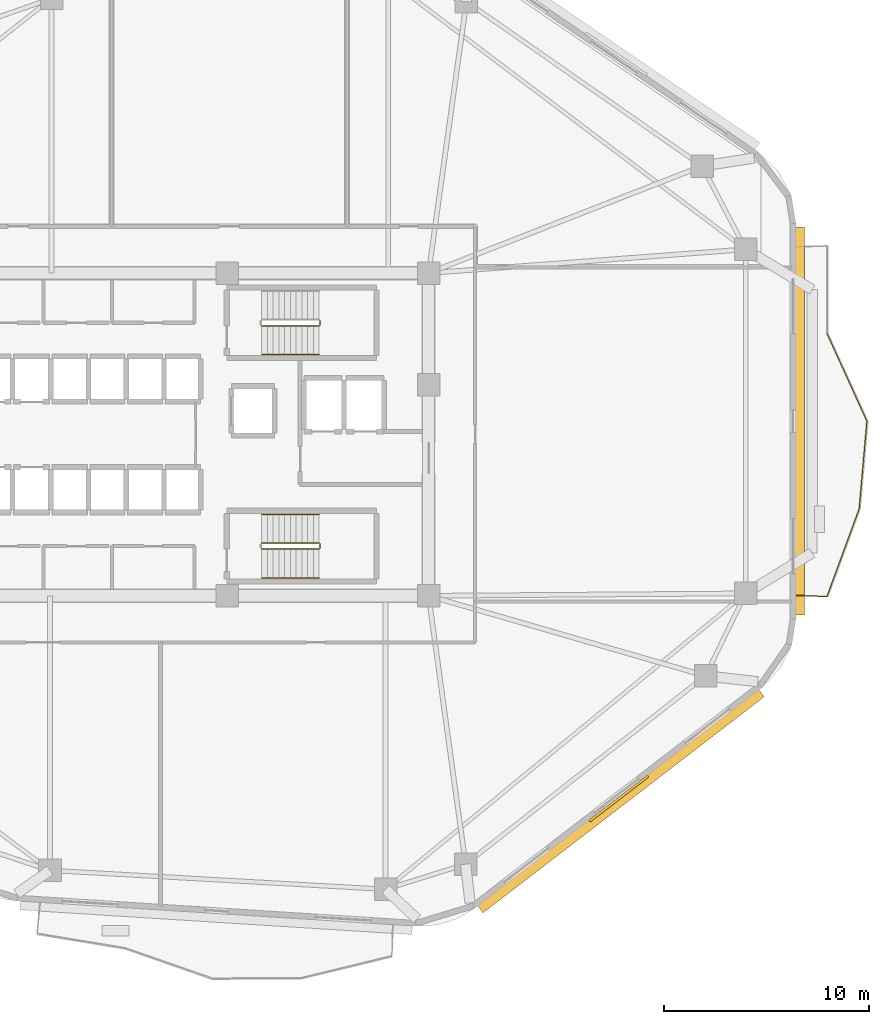
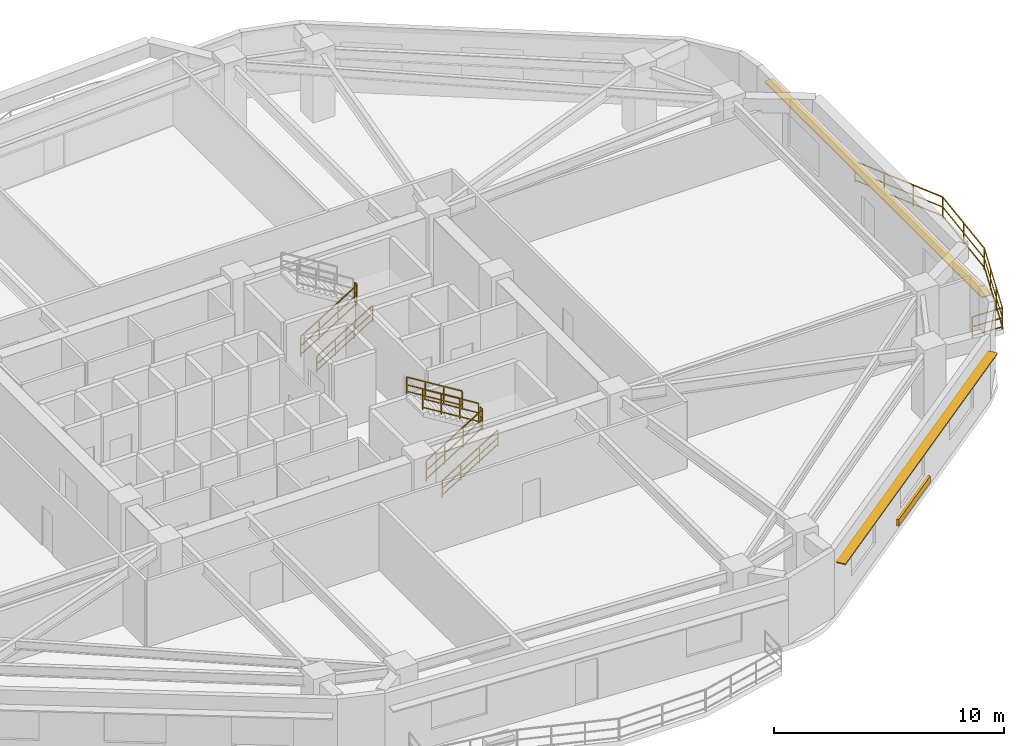
# One storey, part 8 of 9: 12 railings, 3 shading devices.
"""IFC4 building model written with IfcOpenShell, lengths in metres."""

from ifc_helpers import new_model, si_unit, direction, frame, origin, origin_2d, place, context, subcontext, project, spatial, rectangle, extrude, material, layer, layer_set, type_object, element, save


model = new_model("IFC4")

# Units and contexts
model_context = context("Model", 3, precision=1e-05, world=origin(), true_north=direction((0.0, 1.0)))
body_context = subcontext(model_context, "Body", "Model", "MODEL_VIEW")
ifc_project = project(units=[si_unit("LENGTHUNIT", "METRE"), si_unit("AREAUNIT", "SQUARE_METRE"), si_unit("VOLUMEUNIT", "CUBIC_METRE"), si_unit("PLANEANGLEUNIT", "RADIAN"), si_unit("MASSUNIT", "GRAM", prefix="KILO")], contexts=[model_context])

# Site, building, storey
site_placement = place(None, origin())
site = spatial("IfcSite", under=ifc_project, at=site_placement, CompositionType="ELEMENT")
building_placement = place(site_placement, origin())
building = spatial("IfcBuilding", under=site, at=building_placement, Name="Zulverin Broadcast Headquarters", CompositionType="ELEMENT")
storey_placement = place(building_placement, frame((0.0, 0.0, 112.39990234375)))
storey = spatial("IfcBuildingStorey", under=building, at=storey_placement, Name="L28", CompositionType="ELEMENT", Elevation=112.39990234375)

# Railings
ifc_material_1 = material(Name="Brushed stainless steel & laminated glass balustrade", Category="steel")
railing_type_1 = type_object("IfcRailingType", Name="RL-GUARD-1150", PredefinedType="GUARDRAIL", material=ifc_material_1)
railing_1_placement = place(storey_placement, frame((66.239990234375, 17.343505859375, 0.0)))
element("IfcRailing", 1, at=railing_1_placement, inside=storey, type_object=railing_type_1, Name="L28 Vertical-Forest Balcony Guardrail BAL_E Segment 01", PredefinedType="GUARDRAIL", context=body_context, shape_type="SweptSolid", body=[
    extrude(rectangle(XDim=0.048095703125, YDim=0.048095703125, at=origin_2d()), frame((0.0, 0.0, 1.1259765625), z_axis=(0.999174410196, -0.040626321628, 0.0), x_axis=(0.040626321628, 0.999174410196, 0.0)), (0.0, 0.0, 1.0), 1.46630859375),
    extrude(rectangle(XDim=0.0419921875, YDim=0.0419921875, at=origin_2d()), frame((0.0, 0.0, 0.597900390625), z_axis=(0.999174410196, -0.040626321628, 0.0), x_axis=(0.040626321628, 0.999174410196, 0.0)), (0.0, 0.0, 1.0), 1.46630859375),
    extrude(rectangle(XDim=0.0419921875, YDim=0.0419921875, at=origin_2d()), frame((0.0, 0.0, 0.1201171875), z_axis=(0.999174410196, -0.040626321628, 0.0), x_axis=(0.040626321628, 0.999174410196, 0.0)), (0.0, 0.0, 1.0), 1.46630859375),
    extrude(rectangle(XDim=0.0419921875, YDim=0.0419921875, at=origin_2d()), origin(), (0.0, 0.0, 1.0), 1.101806640625),
    extrude(rectangle(XDim=0.0419921875, YDim=0.0419921875, at=origin_2d()), frame((1.465087890625, -0.0595703125, 0.0)), (0.0, 0.0, 1.0), 1.101806640625),
])
railing_2_placement = place(storey_placement, frame((67.72509765625, 17.297607421875, 0.0)))
element("IfcRailing", 2, at=railing_2_placement, inside=storey, type_object=railing_type_1, Name="L28 Vertical-Forest Balcony Guardrail BAL_E Segment 02", PredefinedType="GUARDRAIL", context=body_context, shape_type="SweptSolid", body=[
    extrude(rectangle(XDim=0.048095703125, YDim=0.048095703125, at=origin_2d()), frame((0.0, 0.0, 1.1259765625), z_axis=(0.344609188116, 0.938746242318, 0.0), x_axis=(-0.938746242318, 0.344609188116, 0.0)), (0.0, 0.0, 1.0), 4.531982421875),
    extrude(rectangle(XDim=0.0419921875, YDim=0.0419921875, at=origin_2d()), frame((0.0, 0.0, 0.597900390625), z_axis=(0.344609188116, 0.938746242318, 0.0), x_axis=(-0.938746242318, 0.344609188116, 0.0)), (0.0, 0.0, 1.0), 4.531982421875),
    extrude(rectangle(XDim=0.0419921875, YDim=0.0419921875, at=origin_2d()), frame((0.0, 0.0, 0.1201171875), z_axis=(0.344609188116, 0.938746242318, 0.0), x_axis=(-0.938746242318, 0.344609188116, 0.0)), (0.0, 0.0, 1.0), 4.531982421875),
    extrude(rectangle(XDim=0.0419921875, YDim=0.0419921875, at=origin_2d()), origin(), (0.0, 0.0, 1.0), 1.101806640625),
    extrude(rectangle(XDim=0.0419921875, YDim=0.0419921875, at=origin_2d()), frame((0.5205078125, 1.418212890625, 0.0)), (0.0, 0.0, 1.0), 1.101806640625),
    extrude(rectangle(XDim=0.0419921875, YDim=0.0419921875, at=origin_2d()), frame((1.041259765625, 2.836181640625, 0.0)), (0.0, 0.0, 1.0), 1.101806640625),
    extrude(rectangle(XDim=0.0419921875, YDim=0.0419921875, at=origin_2d()), frame((1.561767578125, 4.25439453125, 0.0)), (0.0, 0.0, 1.0), 1.101806640625),
])
railing_3_placement = place(storey_placement, frame((69.293212890625, 21.5810546875, 0.0)))
element("IfcRailing", 3, at=railing_3_placement, inside=storey, type_object=railing_type_1, Name="L28 Vertical-Forest Balcony Guardrail BAL_E Segment 03", PredefinedType="GUARDRAIL", context=body_context, shape_type="SweptSolid", body=[
    extrude(rectangle(XDim=0.048095703125, YDim=0.048095703125, at=origin_2d()), frame((0.0, 0.0, 1.1259765625), z_axis=(0.087947213547, 0.996125136531, 0.0), x_axis=(-0.996125136531, 0.087947213547, 0.0)), (0.0, 0.0, 1.0), 4.26953125),
    extrude(rectangle(XDim=0.0419921875, YDim=0.0419921875, at=origin_2d()), frame((0.0, 0.0, 0.597900390625), z_axis=(0.087947213547, 0.996125136531, 0.0), x_axis=(-0.996125136531, 0.087947213547, 0.0)), (0.0, 0.0, 1.0), 4.26953125),
    extrude(rectangle(XDim=0.0419921875, YDim=0.0419921875, at=origin_2d()), frame((0.0, 0.0, 0.1201171875), z_axis=(0.087947213547, 0.996125136531, 0.0), x_axis=(-0.996125136531, 0.087947213547, 0.0)), (0.0, 0.0, 1.0), 4.26953125),
    extrude(rectangle(XDim=0.0419921875, YDim=0.0419921875, at=origin_2d()), origin(), (0.0, 0.0, 1.0), 1.101806640625),
    extrude(rectangle(XDim=0.0419921875, YDim=0.0419921875, at=origin_2d()), frame((0.187744140625, 2.12646484375, 0.0)), (0.0, 0.0, 1.0), 1.101806640625),
    extrude(rectangle(XDim=0.0419921875, YDim=0.0419921875, at=origin_2d()), frame((0.37548828125, 4.2529296875, 0.0)), (0.0, 0.0, 1.0), 1.101806640625),
])
railing_4_placement = place(storey_placement, frame((69.663818359375, 25.862548828125, 0.0)))
element("IfcRailing", 4, at=railing_4_placement, inside=storey, type_object=railing_type_1, Name="L28 Vertical-Forest Balcony Guardrail BAL_E Segment 04", PredefinedType="GUARDRAIL", context=body_context, shape_type="SweptSolid", body=[
    extrude(rectangle(XDim=0.048095703125, YDim=0.048095703125, at=origin_2d()), frame((0.0, 0.0, 1.1259765625), z_axis=(-0.414377225537, 0.910105221915, 0.0), x_axis=(-0.910105221915, -0.414377225537, 0.0)), (0.0, 0.0, 1.0), 4.67578125),
    extrude(rectangle(XDim=0.0419921875, YDim=0.0419921875, at=origin_2d()), frame((0.0, 0.0, 0.597900390625), z_axis=(-0.414377225537, 0.910105221915, 0.0), x_axis=(-0.910105221915, -0.414377225537, 0.0)), (0.0, 0.0, 1.0), 4.67578125),
    extrude(rectangle(XDim=0.0419921875, YDim=0.0419921875, at=origin_2d()), frame((0.0, 0.0, 0.1201171875), z_axis=(-0.414377225537, 0.910105221915, 0.0), x_axis=(-0.910105221915, -0.414377225537, 0.0)), (0.0, 0.0, 1.0), 4.67578125),
    extrude(rectangle(XDim=0.0419921875, YDim=0.0419921875, at=origin_2d()), origin(), (0.0, 0.0, 1.0), 1.101806640625),
    extrude(rectangle(XDim=0.0419921875, YDim=0.0419921875, at=origin_2d()), frame((-0.645751953125, 1.41845703125, 0.0)), (0.0, 0.0, 1.0), 1.101806640625),
    extrude(rectangle(XDim=0.0419921875, YDim=0.0419921875, at=origin_2d()), frame((-1.291748046875, 2.8369140625, 0.0)), (0.0, 0.0, 1.0), 1.101806640625),
    extrude(rectangle(XDim=0.0419921875, YDim=0.0419921875, at=origin_2d()), frame((-1.9375, 4.25537109375, 0.0)), (0.0, 0.0, 1.0), 1.101806640625),
])
ifc_material_2 = material(Name="Painted galvanized steel tubular guardrail S355JR", Category="steel")
railing_type_2 = type_object("IfcRailingType", Name="RL-ST-GUARD", PredefinedType="GUARDRAIL", material=ifc_material_2)
railing_5_placement = place(storey_placement, frame((40.1298828125, 30.5, 0.1728515625)))
element("IfcRailing", 5, at=railing_5_placement, inside=storey, type_object=railing_type_2, Name="L28 ST-1 stair guard 1", PredefinedType="GUARDRAIL", context=body_context, shape_type="SweptSolid", body=[
    extrude(rectangle(XDim=0.048095703125, YDim=0.048095703125, at=origin_2d()), frame((0.0, 0.0, 1.076171875), z_axis=(0.851089632645, 0.0, 0.525020415988), x_axis=(0.0, 1.0, 0.0)), (0.0, 0.0, 1.0), 3.2900390625),
    extrude(rectangle(XDim=0.0419921875, YDim=0.0419921875, at=origin_2d()), frame((0.0, 0.0, 0.572021484375), z_axis=(0.851089632645, 0.0, 0.525020415988), x_axis=(0.0, 1.0, 0.0)), (0.0, 0.0, 1.0), 3.2900390625),
    extrude(rectangle(XDim=0.0419921875, YDim=0.0419921875, at=origin_2d()), frame((0.0, 0.0, 0.1201171875), z_axis=(0.851089632645, 0.0, 0.525020415988), x_axis=(0.0, 1.0, 0.0)), (0.0, 0.0, 1.0), 3.2900390625),
    extrude(rectangle(XDim=0.0419921875, YDim=0.0419921875, at=origin_2d()), origin(), (0.0, 0.0, 1.0), 1.052001953125),
    extrude(rectangle(XDim=0.0419921875, YDim=0.0419921875, at=origin_2d()), frame((0.933349609375, 0.0, 0.57568359375)), (0.0, 0.0, 1.0), 1.052001953125),
    extrude(rectangle(XDim=0.0419921875, YDim=0.0419921875, at=origin_2d()), frame((1.86669921875, 0.0, 1.151611328125)), (0.0, 0.0, 1.0), 1.052001953125),
    extrude(rectangle(XDim=0.0419921875, YDim=0.0419921875, at=origin_2d()), frame((2.800048828125, 0.0, 1.727294921875)), (0.0, 0.0, 1.0), 1.052001953125),
])
railing_6_placement = place(storey_placement, frame((42.97998046875, 30.550048828125, 1.900146484375)))
element("IfcRailing", 6, at=railing_6_placement, inside=storey, type_object=railing_type_2, Name="L28 ST-1 stair guard 2", PredefinedType="GUARDRAIL", context=body_context, shape_type="SweptSolid", body=[
    extrude(rectangle(XDim=0.048095703125, YDim=0.048095703125, at=origin_2d()), frame((0.0, 0.0, 1.076171875), z_axis=(0.0, 1.0, 0.0), x_axis=(-1.0, 0.0, 0.0)), (0.0, 0.0, 1.0), 0.199951171875),
    extrude(rectangle(XDim=0.0419921875, YDim=0.0419921875, at=origin_2d()), frame((0.0, 0.0, 0.572021484375), z_axis=(0.0, 1.0, 0.0), x_axis=(-1.0, 0.0, 0.0)), (0.0, 0.0, 1.0), 0.199951171875),
    extrude(rectangle(XDim=0.0419921875, YDim=0.0419921875, at=origin_2d()), frame((0.0, 0.0, 0.1201171875), z_axis=(0.0, 1.0, 0.0), x_axis=(-1.0, 0.0, 0.0)), (0.0, 0.0, 1.0), 0.199951171875),
    extrude(rectangle(XDim=0.0419921875, YDim=0.0419921875, at=origin_2d()), origin(), (0.0, 0.0, 1.0), 1.052001953125),
    extrude(rectangle(XDim=0.0419921875, YDim=0.0419921875, at=origin_2d()), frame((0.0, 0.199951171875, 0.0)), (0.0, 0.0, 1.0), 1.052001953125),
])
railing_7_placement = place(storey_placement, frame((40.1298828125, 19.60009765625, 0.1728515625)))
element("IfcRailing", 7, at=railing_7_placement, inside=storey, type_object=railing_type_2, Name="L28 ST-2 stair guard 1", PredefinedType="GUARDRAIL", context=body_context, shape_type="SweptSolid", body=[
    extrude(rectangle(XDim=0.048095703125, YDim=0.048095703125, at=origin_2d()), frame((0.0, 0.0, 1.076171875), z_axis=(0.851089632645, 0.0, 0.525020415988), x_axis=(0.0, 1.0, 0.0)), (0.0, 0.0, 1.0), 3.2900390625),
    extrude(rectangle(XDim=0.0419921875, YDim=0.0419921875, at=origin_2d()), frame((0.0, 0.0, 0.572021484375), z_axis=(0.851089632645, 0.0, 0.525020415988), x_axis=(0.0, 1.0, 0.0)), (0.0, 0.0, 1.0), 3.2900390625),
    extrude(rectangle(XDim=0.0419921875, YDim=0.0419921875, at=origin_2d()), frame((0.0, 0.0, 0.1201171875), z_axis=(0.851089632645, 0.0, 0.525020415988), x_axis=(0.0, 1.0, 0.0)), (0.0, 0.0, 1.0), 3.2900390625),
    extrude(rectangle(XDim=0.0419921875, YDim=0.0419921875, at=origin_2d()), origin(), (0.0, 0.0, 1.0), 1.052001953125),
    extrude(rectangle(XDim=0.0419921875, YDim=0.0419921875, at=origin_2d()), frame((0.933349609375, 0.0, 0.57568359375)), (0.0, 0.0, 1.0), 1.052001953125),
    extrude(rectangle(XDim=0.0419921875, YDim=0.0419921875, at=origin_2d()), frame((1.86669921875, 0.0, 1.151611328125)), (0.0, 0.0, 1.0), 1.052001953125),
    extrude(rectangle(XDim=0.0419921875, YDim=0.0419921875, at=origin_2d()), frame((2.800048828125, 0.0, 1.727294921875)), (0.0, 0.0, 1.0), 1.052001953125),
])
railing_8_placement = place(storey_placement, frame((42.97998046875, 19.64990234375, 1.900146484375)))
element("IfcRailing", 8, at=railing_8_placement, inside=storey, type_object=railing_type_2, Name="L28 ST-2 stair guard 2", PredefinedType="GUARDRAIL", context=body_context, shape_type="SweptSolid", body=[
    extrude(rectangle(XDim=0.048095703125, YDim=0.048095703125, at=origin_2d()), frame((0.0, 0.0, 1.076171875), z_axis=(0.0, 1.0, 0.0), x_axis=(-1.0, 0.0, 0.0)), (0.0, 0.0, 1.0), 0.2001953125),
    extrude(rectangle(XDim=0.0419921875, YDim=0.0419921875, at=origin_2d()), frame((0.0, 0.0, 0.572021484375), z_axis=(0.0, 1.0, 0.0), x_axis=(-1.0, 0.0, 0.0)), (0.0, 0.0, 1.0), 0.2001953125),
    extrude(rectangle(XDim=0.0419921875, YDim=0.0419921875, at=origin_2d()), frame((0.0, 0.0, 0.1201171875), z_axis=(0.0, 1.0, 0.0), x_axis=(-1.0, 0.0, 0.0)), (0.0, 0.0, 1.0), 0.2001953125),
    extrude(rectangle(XDim=0.0419921875, YDim=0.0419921875, at=origin_2d()), origin(), (0.0, 0.0, 1.0), 1.052001953125),
    extrude(rectangle(XDim=0.0419921875, YDim=0.0419921875, at=origin_2d()), frame((0.0, 0.2001953125, 0.0)), (0.0, 0.0, 1.0), 1.052001953125),
])
railing_9_placement = place(storey_placement, frame((42.929931640625, 19.89990234375, 2.07275390625)))
element("IfcRailing", 9, at=railing_9_placement, inside=storey, type_object=railing_type_2, Name="L28 ST-2 stair guard 3", PredefinedType="GUARDRAIL", context=body_context, shape_type="SweptSolid", body=[
    extrude(rectangle(XDim=0.048095703125, YDim=0.048095703125, at=origin_2d()), frame((0.0, 0.0, 1.076171875), z_axis=(-0.851089632645, 0.0, 0.525020415988), x_axis=(0.0, -1.0, 0.0)), (0.0, 0.0, 1.0), 3.2900390625),
    extrude(rectangle(XDim=0.0419921875, YDim=0.0419921875, at=origin_2d()), frame((0.0, 0.0, 0.572021484375), z_axis=(-0.851089632645, 0.0, 0.525020415988), x_axis=(0.0, -1.0, 0.0)), (0.0, 0.0, 1.0), 3.2900390625),
    extrude(rectangle(XDim=0.0419921875, YDim=0.0419921875, at=origin_2d()), frame((0.0, 0.0, 0.1201171875), z_axis=(-0.851089632645, 0.0, 0.525020415988), x_axis=(0.0, -1.0, 0.0)), (0.0, 0.0, 1.0), 3.2900390625),
    extrude(rectangle(XDim=0.0419921875, YDim=0.0419921875, at=origin_2d()), origin(), (0.0, 0.0, 1.0), 1.052001953125),
    extrude(rectangle(XDim=0.0419921875, YDim=0.0419921875, at=origin_2d()), frame((-0.933349609375, 0.0, 0.57568359375)), (0.0, 0.0, 1.0), 1.052001953125),
    extrude(rectangle(XDim=0.0419921875, YDim=0.0419921875, at=origin_2d()), frame((-1.86669921875, 0.0, 1.151611328125)), (0.0, 0.0, 1.0), 1.052001953125),
    extrude(rectangle(XDim=0.0419921875, YDim=0.0419921875, at=origin_2d()), frame((-2.800048828125, 0.0, 1.727294921875)), (0.0, 0.0, 1.0), 1.052001953125),
])
ifc_material_3 = material(Name="Brushed stainless steel 48 mm handrail", Category="steel")
railing_type_3 = type_object("IfcRailingType", Name="RL-ST-HAND", PredefinedType="HANDRAIL", material=ifc_material_3)
for number, where, name in (
    (10, (40.1298828125, 29.10009765625, 0.1728515625), "L28 ST-1 stair handrail 1"),
    (11, (40.1298828125, 18.199951171875, 0.1728515625), "L28 ST-2 stair handrail 1"),
):
    element("IfcRailing", number, at=place(storey_placement, frame(where)), inside=storey, type_object=railing_type_3, Name=name, PredefinedType="HANDRAIL", context=body_context, shape_type="SweptSolid", body=[
        extrude(rectangle(XDim=0.048095703125, YDim=0.048095703125, at=origin_2d()), frame((0.0, 0.0, 0.8759765625), z_axis=(0.851089632645, 0.0, 0.525020415988), x_axis=(0.0, 1.0, 0.0)), (0.0, 0.0, 1.0), 3.2900390625),
        extrude(rectangle(XDim=0.0419921875, YDim=0.0419921875, at=origin_2d()), frame((0.0, 0.0, 0.468017578125), z_axis=(0.851089632645, 0.0, 0.525020415988), x_axis=(0.0, 1.0, 0.0)), (0.0, 0.0, 1.0), 3.2900390625),
        extrude(rectangle(XDim=0.0419921875, YDim=0.0419921875, at=origin_2d()), frame((0.0, 0.0, 0.1201171875), z_axis=(0.851089632645, 0.0, 0.525020415988), x_axis=(0.0, 1.0, 0.0)), (0.0, 0.0, 1.0), 3.2900390625),
        extrude(rectangle(XDim=0.0419921875, YDim=0.0419921875, at=origin_2d()), origin(), (0.0, 0.0, 1.0), 0.851806640625),
        extrude(rectangle(XDim=0.0419921875, YDim=0.0419921875, at=origin_2d()), frame((0.933349609375, 0.0, 0.57568359375)), (0.0, 0.0, 1.0), 0.851806640625),
        extrude(rectangle(XDim=0.0419921875, YDim=0.0419921875, at=origin_2d()), frame((1.86669921875, 0.0, 1.151611328125)), (0.0, 0.0, 1.0), 0.851806640625),
        extrude(rectangle(XDim=0.0419921875, YDim=0.0419921875, at=origin_2d()), frame((2.800048828125, 0.0, 1.727294921875)), (0.0, 0.0, 1.0), 0.851806640625),
    ])
railing_10_placement = place(storey_placement, frame((42.929931640625, 21.300048828125, 2.07275390625)))
element("IfcRailing", 12, at=railing_10_placement, inside=storey, type_object=railing_type_3, Name="L28 ST-2 stair handrail 2", PredefinedType="HANDRAIL", context=body_context, shape_type="SweptSolid", body=[
    extrude(rectangle(XDim=0.048095703125, YDim=0.048095703125, at=origin_2d()), frame((0.0, 0.0, 0.8759765625), z_axis=(-0.851089632645, 0.0, 0.525020415988), x_axis=(0.0, -1.0, 0.0)), (0.0, 0.0, 1.0), 3.2900390625),
    extrude(rectangle(XDim=0.0419921875, YDim=0.0419921875, at=origin_2d()), frame((0.0, 0.0, 0.468017578125), z_axis=(-0.851089632645, 0.0, 0.525020415988), x_axis=(0.0, -1.0, 0.0)), (0.0, 0.0, 1.0), 3.2900390625),
    extrude(rectangle(XDim=0.0419921875, YDim=0.0419921875, at=origin_2d()), frame((0.0, 0.0, 0.1201171875), z_axis=(-0.851089632645, 0.0, 0.525020415988), x_axis=(0.0, -1.0, 0.0)), (0.0, 0.0, 1.0), 3.2900390625),
    extrude(rectangle(XDim=0.0419921875, YDim=0.0419921875, at=origin_2d()), origin(), (0.0, 0.0, 1.0), 0.851806640625),
    extrude(rectangle(XDim=0.0419921875, YDim=0.0419921875, at=origin_2d()), frame((-0.933349609375, 0.0, 0.57568359375)), (0.0, 0.0, 1.0), 0.851806640625),
    extrude(rectangle(XDim=0.0419921875, YDim=0.0419921875, at=origin_2d()), frame((-1.86669921875, 0.0, 1.151611328125)), (0.0, 0.0, 1.0), 0.851806640625),
    extrude(rectangle(XDim=0.0419921875, YDim=0.0419921875, at=origin_2d()), frame((-2.800048828125, 0.0, 1.727294921875)), (0.0, 0.0, 1.0), 0.851806640625),
])

# Shading devices
ifc_material_4 = material(Name="Anodized pale-metal aluminium acoustic louvre", Category="aluminium")
shading_device_type_1 = type_object("IfcShadingDeviceType", Name="SHD-LOUVRE-350", PredefinedType="USERDEFINED", material=ifc_material_4)
shading_device_1_placement = place(storey_placement, frame((57.56103515625, 7.425048828125, 0.2451171875), z_axis=(0.0, 0.0, 1.0), x_axis=(0.792933468586, 0.609308226102, 0.0)))
element("IfcShadingDevice", 13, at=shading_device_1_placement, inside=storey, type_object=shading_device_type_1, Name="L28 Spandrel Intake Louvre 2", ObjectType="LOUVRE", PredefinedType="USERDEFINED", context=body_context, shape_type="SweptSolid", body=[
    extrude(rectangle(XDim=3.60009765625, YDim=0.1201171875, at=origin_2d()), origin(), (0.0, 0.0, 1.0), 0.35009765625),
])
ifc_material_5 = material(Name="Anodized pale-metal aluminium sunshade", Category="aluminium")
ifc_layer = layer(ifc_material_5, 0.06005859375, Name="Anodized pale-metal aluminium sunshade", Category="aluminium")
ifc_layer_set = layer_set([ifc_layer], Name="Anodized pale-metal aluminium sunshade")
shading_device_type_2 = type_object("IfcShadingDeviceType", Name="SS-01_PALE_METAL_ALUMINIUM_SUNSHADE", PredefinedType="USERDEFINED", material=ifc_layer_set)
shading_device_2_placement = place(storey_placement, frame((57.658447265625, 7.29833984375, 2.7099609375), z_axis=(0.0, 0.0, 1.0), x_axis=(0.792933468586, 0.609308226102, 0.0)))
element("IfcShadingDevice", 14, at=shading_device_2_placement, inside=storey, type_object=shading_device_type_2, Name="L28 Horizontal Pale-Metal Sunshade Band 2", ObjectType="SUNSHADE", PredefinedType="USERDEFINED", context=body_context, shape_type="SweptSolid", body=[
    extrude(rectangle(XDim=17.312744140625, YDim=0.449951171875, at=origin_2d()), origin(), (0.0, 0.0, 1.0), 0.06005859375),
])
shading_device_3_placement = place(storey_placement, frame((66.39990234375, 25.848876953125, 2.7099609375), z_axis=(0.0, 0.0, 1.0), x_axis=(0.0, 1.0, 0.0)))
element("IfcShadingDevice", 15, at=shading_device_3_placement, inside=storey, type_object=shading_device_type_2, Name="L28 Horizontal Pale-Metal Sunshade Band 3", ObjectType="SUNSHADE", PredefinedType="USERDEFINED", context=body_context, shape_type="SweptSolid", body=[
    extrude(rectangle(XDim=18.93115234375, YDim=0.449951171875, at=origin_2d()), origin(), (0.0, 0.0, 1.0), 0.06005859375),
])

save(model, "model.ifc")
